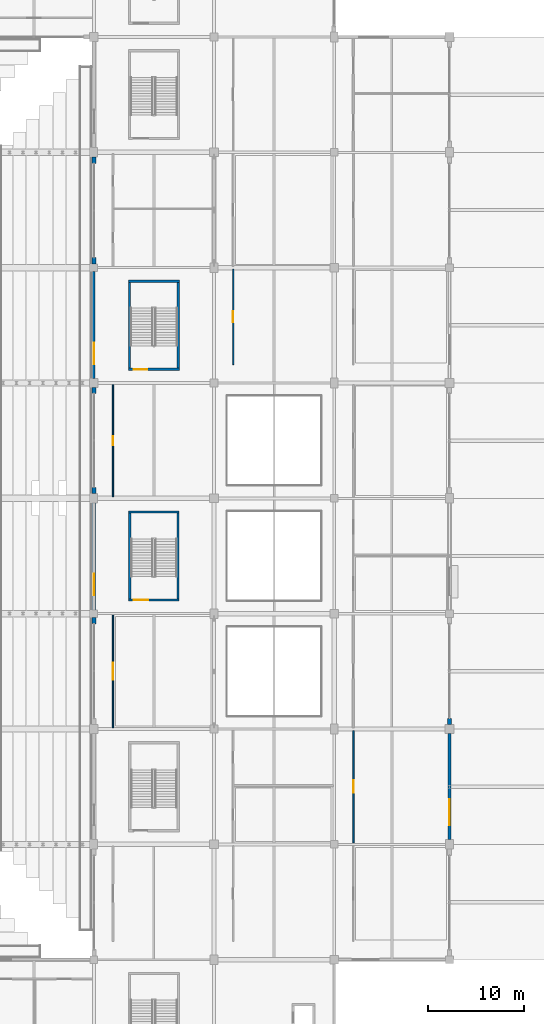
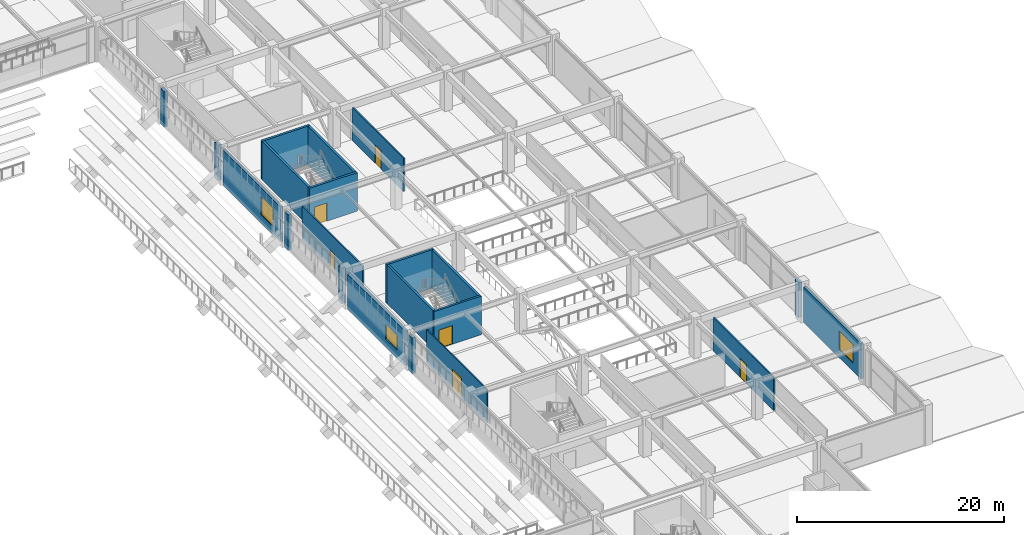
# One storey, part 85 of 134: 21 walls, 6 doors, 3 windows, 9 openings.
"""IFC4 building model written with IfcOpenShell, lengths in metres."""

from ifc_helpers import new_model, si_unit, direction, frame, frame_2d, origin, place, context, subcontext, project, spatial, rectangle, extrude, material, layer, layer_set, type_object, element, fill, save


model = new_model("IFC4")

# Units and contexts
model_context = context("Model", 3, precision=1e-05, world=origin(), true_north=direction((0.0, 1.0)))
body_context = subcontext(model_context, "Body", "Model", "MODEL_VIEW")
ifc_project = project(units=[si_unit("LENGTHUNIT", "METRE"), si_unit("AREAUNIT", "SQUARE_METRE"), si_unit("VOLUMEUNIT", "CUBIC_METRE"), si_unit("PLANEANGLEUNIT", "RADIAN"), si_unit("MASSUNIT", "GRAM", prefix="KILO")], contexts=[model_context])

# Site, building, storey
site_placement = place(None, origin())
site = spatial("IfcSite", under=ifc_project, at=site_placement, CompositionType="ELEMENT")
building_placement = place(site_placement, origin())
building = spatial("IfcBuilding", under=site, at=building_placement, Name="Kazenohara Klinker Stadium", CompositionType="ELEMENT")
storey_placement = place(building_placement, frame((0.0, 0.0, 5.39990234375)))
storey = spatial("IfcBuildingStorey", under=building, at=storey_placement, Name="L01", CompositionType="ELEMENT", Elevation=5.39990234375)

# Wall, opening, door
ifc_material_1 = material(Name="Concrete C40/50", Category="concrete")
ifc_layer_1 = layer(ifc_material_1, 0.22998046875)
ifc_layer_set_1 = layer_set([ifc_layer_1], Name="Concrete C40/50")
wall_type_1 = type_object("IfcWallType", Name="WAL-CORE-230", PredefinedType="SHEAR", material=ifc_layer_set_1)
wall_1_placement = place(storey_placement, frame((178.6201171875, 73.43505859375, 0.0), z_axis=(0.0, 0.0, 1.0), x_axis=(1.0, 0.0, 0.0)))
wall_1 = element("IfcWall", 1, at=wall_1_placement, inside=storey, type_object=wall_type_1, Name="Stairwell shear wall ST22 L01 South", PredefinedType="SHEAR", context=body_context, shape_type="SweptSolid", body=[
    extrude(rectangle(XDim=5.259765625, YDim=0.22998046875, at=frame_2d((2.6298828125, 0.0))), origin(), (0.0, 0.0, 1.0), 4.550048828125),
])
opening_1_placement = place(wall_1_placement, frame((0.550048828125, 0.0, 0.0)))
opening_1 = element("IfcOpeningElement", 2, at=opening_1_placement, cuts=wall_1, Name="Opening SD02", PredefinedType="OPENING", context=body_context, shape_type="SweptSolid", body=[
    extrude(rectangle(XDim=1.5, YDim=2.199951171875, at=frame_2d((0.75, 1.10009765625))), frame((0.0, 0.125, 0.0), z_axis=(0.0, -1.0, 0.0), x_axis=(1.0, 0.0, 0.0)), (0.0, 0.0, 1.0), 0.25),
])
ifc_material_2 = material(Name="Flush painted steel fire door leaf", Category="steel")
door_type_1 = type_object("IfcDoorType", Name="DR-STR-1500x2200", OperationType="NOTDEFINED", PredefinedType="DOOR", material=ifc_material_2)
door_1_placement = place(opening_1_placement, origin())
door_1 = element("IfcDoor", 3, at=door_1_placement, inside=storey, type_object=door_type_1, Name="Escape stairwell fire door ST22-L01", OperationType="SINGLE_SWING_RIGHT", OverallHeight=2.199951171875, OverallWidth=1.5, PredefinedType="DOOR", context=body_context, shape_type="SweptSolid", body=[
    extrude(rectangle(XDim=1.5, YDim=2.199951171875, at=frame_2d((0.75, 1.10009765625))), frame((0.0, 0.02490234375, 0.0), z_axis=(0.0, -1.0, 0.0), x_axis=(1.0, 0.0, 0.0)), (0.0, 0.0, 1.0), 0.050048828125),
])
fill(opening_1, door_1)

# Walls
wall_2_placement = place(storey_placement, frame((178.6201171875, 82.56494140625, 0.0), z_axis=(0.0, 0.0, 1.0), x_axis=(1.0, 0.0, 0.0)))
element("IfcWall", 4, at=wall_2_placement, inside=storey, type_object=wall_type_1, Name="Stairwell shear wall ST22 L01 North", PredefinedType="SHEAR", context=body_context, shape_type="SweptSolid", body=[
    extrude(rectangle(XDim=5.259765625, YDim=0.22998046875, at=frame_2d((2.6298828125, 0.0))), origin(), (0.0, 0.0, 1.0), 4.550048828125),
])
for number, where, z_axis, x_axis, name in (
    (5, (178.735107421875, 73.550048828125, 0.0), (0.0, 0.0, 1.0), (0.0, 1.0, 0.0), "Stairwell shear wall ST22 L01 West"),
    (6, (183.764892578125, 73.550048828125, 0.0), (0.0, 0.0, 1.0), (0.0, 1.0, 0.0), "Stairwell shear wall ST22 L01 East"),
):
    element("IfcWall", number, at=place(storey_placement, frame(where, z_axis=z_axis, x_axis=x_axis)), inside=storey, type_object=wall_type_1, Name=name, PredefinedType="SHEAR", context=body_context, shape_type="SweptSolid", body=[
        extrude(rectangle(XDim=8.89990234375, YDim=0.22998046875, at=frame_2d((4.449951171875, 0.0))), origin(), (0.0, 0.0, 1.0), 4.550048828125),
    ])

# Wall, opening, door
ifc_layer_2 = layer(ifc_material_1, 0.25)
ifc_layer_set_2 = layer_set([ifc_layer_2], Name="Concrete C40/50")
wall_type_2 = type_object("IfcWallType", Name="WAL-CORE-250", PredefinedType="SHEAR", material=ifc_layer_set_2)
wall_3_placement = place(storey_placement, frame((178.580078125, 97.425048828125, 0.0), z_axis=(0.0, 0.0, 1.0), x_axis=(1.0, 0.0, 0.0)))
wall_3 = element("IfcWall", 7, at=wall_3_placement, inside=storey, type_object=wall_type_2, Name="Stairwell shear wall ST23 L01 South", PredefinedType="SHEAR", context=body_context, shape_type="SweptSolid", body=[
    extrude(rectangle(XDim=5.33984375, YDim=0.25, at=frame_2d((2.669921875, 0.0))), origin(), (0.0, 0.0, 1.0), 4.550048828125),
])
opening_2_placement = place(wall_3_placement, frame((0.550048828125, 0.0, 0.0)))
opening_2 = element("IfcOpeningElement", 8, at=opening_2_placement, cuts=wall_3, Name="Opening SD01", PredefinedType="OPENING", context=body_context, shape_type="SweptSolid", body=[
    extrude(rectangle(XDim=1.39990234375, YDim=2.14990234375, at=frame_2d((0.699951171875, 1.074951171875))), frame((0.0, 0.135009765625, 0.0), z_axis=(0.0, -1.0, 0.0), x_axis=(1.0, 0.0, 0.0)), (0.0, 0.0, 1.0), 0.27001953125),
])
door_type_2 = type_object("IfcDoorType", Name="DR-STR-1400x2150", OperationType="NOTDEFINED", PredefinedType="DOOR", material=ifc_material_2)
door_2_placement = place(opening_2_placement, origin())
door_2 = element("IfcDoor", 9, at=door_2_placement, inside=storey, type_object=door_type_2, Name="Escape stairwell fire door ST23-L01", OperationType="SINGLE_SWING_RIGHT", OverallHeight=2.14990234375, OverallWidth=1.39990234375, PredefinedType="DOOR", context=body_context, shape_type="SweptSolid", body=[
    extrude(rectangle(XDim=1.39990234375, YDim=2.14990234375, at=frame_2d((0.699951171875, 1.074951171875))), frame((0.0, 0.02490234375, 0.0), z_axis=(0.0, -1.0, 0.0), x_axis=(1.0, 0.0, 0.0)), (0.0, 0.0, 1.0), 0.050048828125),
])
fill(opening_2, door_2)

# Walls
wall_4_placement = place(storey_placement, frame((178.580078125, 106.574951171875, 0.0), z_axis=(0.0, 0.0, 1.0), x_axis=(1.0, 0.0, 0.0)))
element("IfcWall", 10, at=wall_4_placement, inside=storey, type_object=wall_type_2, Name="Stairwell shear wall ST23 L01 North", PredefinedType="SHEAR", context=body_context, shape_type="SweptSolid", body=[
    extrude(rectangle(XDim=5.33984375, YDim=0.25, at=frame_2d((2.669921875, 0.0))), origin(), (0.0, 0.0, 1.0), 4.550048828125),
])
for number, where, z_axis, x_axis, name in (
    (11, (178.705078125, 97.550048828125, 0.0), (0.0, 0.0, 1.0), (0.0, 1.0, 0.0), "Stairwell shear wall ST23 L01 West"),
    (12, (183.794921875, 97.550048828125, 0.0), (0.0, 0.0, 1.0), (0.0, 1.0, 0.0), "Stairwell shear wall ST23 L01 East"),
):
    element("IfcWall", number, at=place(storey_placement, frame(where, z_axis=z_axis, x_axis=x_axis)), inside=storey, type_object=wall_type_2, Name=name, PredefinedType="SHEAR", context=body_context, shape_type="SweptSolid", body=[
        extrude(rectangle(XDim=8.89990234375, YDim=0.25, at=frame_2d((4.449951171875, 0.0))), origin(), (0.0, 0.0, 1.0), 4.550048828125),
    ])

# Wall, opening, window
ifc_material_3 = material(Name="Clinker brick masonry", Category="masonry")
ifc_layer_3 = layer(ifc_material_3, 0.280029296875)
ifc_layer_set_3 = layer_set([ifc_layer_3], Name="Clinker brick masonry")
wall_type_3 = type_object("IfcWallType", Name="WAL-EXT-CB280", PredefinedType="SOLIDWALL", material=ifc_layer_set_3)
wall_5_placement = place(storey_placement, frame((175.0, 96.4541015625, 0.0), z_axis=(0.0, 0.0, 1.0), x_axis=(0.0, 1.0, 0.0)))
wall_5 = element("IfcWall", 13, at=wall_5_placement, inside=storey, type_object=wall_type_3, Name="Clinker brick cavity wall EW06 L01 Y14-8", PredefinedType="SOLIDWALL", context=body_context, shape_type="SweptSolid", body=[
    extrude(rectangle(XDim=11.141845703125, YDim=0.280029296875, at=frame_2d((5.57080078125, 0.0))), origin(), (0.0, 0.0, 1.0), 4.150146484375),
])
opening_3_placement = place(wall_5_placement, frame((1.5, 0.0, 0.949951171875)))
opening_3 = element("IfcOpeningElement", 14, at=opening_3_placement, cuts=wall_5, Name="Opening W22", PredefinedType="OPENING", context=body_context, shape_type="SweptSolid", body=[
    extrude(rectangle(XDim=2.25, YDim=2.199951171875, at=frame_2d((1.125, 1.10009765625))), frame((0.0, 0.14990234375, 0.0), z_axis=(0.0, -1.0, 0.0), x_axis=(1.0, 0.0, 0.0)), (0.0, 0.0, 1.0), 0.300048828125),
])
ifc_material_4 = material(Name="Dark bronze aluminium frame and triple glazing", Category="aluminium")
window_type_1 = type_object("IfcWindowType", Name="WIN-AS-22", PartitioningType="SINGLE_PANEL", PredefinedType="WINDOW", material=ifc_material_4)
window_1_placement = place(opening_3_placement, origin())
window_1 = element("IfcWindow", 15, at=window_1_placement, inside=storey, type_object=window_type_1, Name="Horizontal-mullion ladder window W22 L01 Y14-8", OverallHeight=2.199951171875, OverallWidth=2.25, PartitioningType="SINGLE_PANEL", PredefinedType="WINDOW", context=body_context, shape_type="SweptSolid", body=[
    extrude(rectangle(XDim=2.25, YDim=2.199951171875, at=frame_2d((1.125, 1.10009765625))), frame((0.0, 0.030029296875, 0.0), z_axis=(0.0, -1.0, 0.0), x_axis=(1.0, 0.0, 0.0)), (0.0, 0.0, 1.0), 0.06005859375),
])
fill(opening_3, window_1)

wall_6_placement = place(storey_placement, frame((212.0, 48.50390625, 0.0), z_axis=(0.0, 0.0, 1.0), x_axis=(0.0, 1.0, 0.0)))
wall_6 = element("IfcWall", 16, at=wall_6_placement, inside=storey, type_object=wall_type_3, Name="Clinker brick cavity wall EW06 L01 Y17-4", PredefinedType="SOLIDWALL", context=body_context, shape_type="SweptSolid", body=[
    extrude(rectangle(XDim=11.0419921875, YDim=0.280029296875, at=frame_2d((5.52099609375, 0.0))), origin(), (0.0, 0.0, 1.0), 4.2001953125),
])
opening_4_placement = place(wall_6_placement, frame((1.5, 0.0, 0.949951171875)))
opening_4 = element("IfcOpeningElement", 17, at=opening_4_placement, cuts=wall_6, Name="Opening W28", PredefinedType="OPENING", context=body_context, shape_type="SweptSolid", body=[
    extrude(rectangle(XDim=2.699951171875, YDim=2.199951171875, at=frame_2d((1.35009765625, 1.10009765625))), frame((0.0, 0.14990234375, 0.0), z_axis=(0.0, -1.0, 0.0), x_axis=(1.0, 0.0, 0.0)), (0.0, 0.0, 1.0), 0.300048828125),
])
window_type_2 = type_object("IfcWindowType", Name="WIN-AS-28", PartitioningType="SINGLE_PANEL", PredefinedType="WINDOW", material=ifc_material_4)
window_2_placement = place(opening_4_placement, origin())
window_2 = element("IfcWindow", 18, at=window_2_placement, inside=storey, type_object=window_type_2, Name="Horizontal-mullion ladder window W28 L01 Y17-4", OverallHeight=2.199951171875, OverallWidth=2.699951171875, PartitioningType="SINGLE_PANEL", PredefinedType="WINDOW", context=body_context, shape_type="SweptSolid", body=[
    extrude(rectangle(XDim=2.699951171875, YDim=2.199951171875, at=frame_2d((1.35009765625, 1.10009765625))), frame((0.0, 0.030029296875, 0.0), z_axis=(0.0, -1.0, 0.0), x_axis=(1.0, 0.0, 0.0)), (0.0, 0.0, 1.0), 0.06005859375),
])
fill(opening_4, window_2)

ifc_layer_4 = layer(ifc_material_3, 0.340087890625)
ifc_layer_set_4 = layer_set([ifc_layer_4], Name="Clinker brick masonry")
wall_type_4 = type_object("IfcWallType", Name="WAL-EXT-CB340", PredefinedType="SOLIDWALL", material=ifc_layer_set_4)
wall_7_placement = place(storey_placement, frame((175.0, 72.404052734375, 0.0), z_axis=(0.0, 0.0, 1.0), x_axis=(0.0, 1.0, 0.0)))
wall_7 = element("IfcWall", 19, at=wall_7_placement, inside=storey, type_object=wall_type_4, Name="Clinker brick cavity wall EW04 L01 Y14-6", PredefinedType="SOLIDWALL", context=body_context, shape_type="SweptSolid", body=[
    extrude(rectangle(XDim=11.092041015625, YDim=0.340087890625, at=frame_2d((5.5458984375, 0.0))), origin(), (0.0, 0.0, 1.0), 4.150146484375),
])
opening_5_placement = place(wall_7_placement, frame((1.5, 0.0, 0.949951171875)))
opening_5 = element("IfcOpeningElement", 20, at=opening_5_placement, cuts=wall_7, Name="Opening W21", PredefinedType="OPENING", context=body_context, shape_type="SweptSolid", body=[
    extrude(rectangle(XDim=2.25, YDim=1.800048828125, at=frame_2d((1.125, 0.89990234375))), frame((0.0, 0.18017578125, 0.0), z_axis=(0.0, -1.0, 0.0), x_axis=(1.0, 0.0, 0.0)), (0.0, 0.0, 1.0), 0.360107421875),
])
window_type_3 = type_object("IfcWindowType", Name="WIN-AS-21", PartitioningType="SINGLE_PANEL", PredefinedType="WINDOW", material=ifc_material_4)
window_3_placement = place(opening_5_placement, origin())
window_3 = element("IfcWindow", 21, at=window_3_placement, inside=storey, type_object=window_type_3, Name="Horizontal-mullion ladder window W21 L01 Y14-6", OverallHeight=1.800048828125, OverallWidth=2.25, PartitioningType="SINGLE_PANEL", PredefinedType="WINDOW", context=body_context, shape_type="SweptSolid", body=[
    extrude(rectangle(XDim=2.25, YDim=1.800048828125, at=frame_2d((1.125, 0.89990234375))), frame((0.0, 0.030029296875, 0.0), z_axis=(0.0, -1.0, 0.0), x_axis=(1.0, 0.0, 0.0)), (0.0, 0.0, 1.0), 0.06005859375),
])
fill(opening_5, window_3)

# Walls
ifc_layer_5 = layer(ifc_material_3, 0.409912109375)
ifc_layer_set_5 = layer_set([ifc_layer_5], Name="Clinker brick masonry")
wall_type_5 = type_object("IfcWallType", Name="WAL-EXT-CB410", PredefinedType="SOLIDWALL", material=ifc_layer_set_5)
wall_8_placement = place(storey_placement, frame((175.0, 70.946044921875, 0.0), z_axis=(0.0, 0.0, 1.0), x_axis=(0.0, 1.0, 0.0)))
element("IfcWall", 22, at=wall_8_placement, inside=storey, type_object=wall_type_5, Name="Clinker brick curtain-wall jamb pier L01 Y14-5 B", PredefinedType="SOLIDWALL", context=body_context, shape_type="SweptSolid", body=[
    extrude(rectangle(XDim=0.64990234375, YDim=0.409912109375, at=frame_2d((0.324951171875, 0.0))), origin(), (0.0, 0.0, 1.0), 4.2001953125),
])
wall_9_placement = place(storey_placement, frame((175.0, 84.50390625, 0.0), z_axis=(0.0, 0.0, 1.0), x_axis=(0.0, 1.0, 0.0)))
element("IfcWall", 23, at=wall_9_placement, inside=storey, type_object=wall_type_5, Name="Clinker brick curtain-wall jamb pier L01 Y14-7 A", PredefinedType="SOLIDWALL", context=body_context, shape_type="SweptSolid", body=[
    extrude(rectangle(XDim=0.650146484375, YDim=0.409912109375, at=frame_2d((0.3251953125, 0.0))), origin(), (0.0, 0.0, 1.0), 4.2001953125),
])
for number, where, z_axis, x_axis, name in (
    (24, (175.0, 94.89599609375, 0.0), (0.0, 0.0, 1.0), (0.0, 1.0, 0.0), "Clinker brick curtain-wall jamb pier L01 Y14-7 B"),
    (25, (175.0, 108.404052734375, 0.0), (0.0, 0.0, 1.0), (0.0, 1.0, 0.0), "Clinker brick curtain-wall jamb pier L01 Y14-9 A"),
):
    element("IfcWall", number, at=place(storey_placement, frame(where, z_axis=z_axis, x_axis=x_axis)), inside=storey, type_object=wall_type_5, Name=name, PredefinedType="SOLIDWALL", context=body_context, shape_type="SweptSolid", body=[
        extrude(rectangle(XDim=0.64990234375, YDim=0.409912109375, at=frame_2d((0.324951171875, 0.0))), origin(), (0.0, 0.0, 1.0), 4.2001953125),
    ])
wall_10_placement = place(storey_placement, frame((175.0, 118.845947265625, 0.0), z_axis=(0.0, 0.0, 1.0), x_axis=(0.0, 1.0, 0.0)))
element("IfcWall", 26, at=wall_10_placement, inside=storey, type_object=wall_type_5, Name="Clinker brick curtain-wall jamb pier L01 Y14-9 B", PredefinedType="SOLIDWALL", context=body_context, shape_type="SweptSolid", body=[
    extrude(rectangle(XDim=0.650146484375, YDim=0.409912109375, at=frame_2d((0.3251953125, 0.0))), origin(), (0.0, 0.0, 1.0), 4.2001953125),
])
wall_11_placement = place(storey_placement, frame((212.0, 60.4541015625, 0.0), z_axis=(0.0, 0.0, 1.0), x_axis=(0.0, 1.0, 0.0)))
element("IfcWall", 27, at=wall_11_placement, inside=storey, type_object=wall_type_5, Name="Clinker brick curtain-wall jamb pier L01 Y17-5 A", PredefinedType="SOLIDWALL", context=body_context, shape_type="SweptSolid", body=[
    extrude(rectangle(XDim=0.64990234375, YDim=0.409912109375, at=frame_2d((0.324951171875, 0.0))), origin(), (0.0, 0.0, 1.0), 4.150146484375),
])

# Wall, opening, door
ifc_material_5 = material(Name="Fire-rated gypsum board on acoustic studs", Category="gypsum")
ifc_layer_6 = layer(ifc_material_5, 0.1201171875)
ifc_layer_set_6 = layer_set([ifc_layer_6], Name="Fire-rated gypsum board on acoustic studs")
wall_type_6 = type_object("IfcWallType", Name="WAL-INT-P120", PredefinedType="PARTITIONING", material=ifc_layer_set_6)
wall_12_placement = place(storey_placement, frame((176.989990234375, 60.159912109375, 0.0), z_axis=(0.0, 0.0, 1.0), x_axis=(0.0, 1.0, 0.0)))
wall_12 = element("IfcWall", 28, at=wall_12_placement, inside=storey, type_object=wall_type_6, Name="Interior partition wall PT02 SPC-L01-14-05-1-1", PredefinedType="PARTITIONING", context=body_context, shape_type="SweptSolid", body=[
    extrude(rectangle(XDim=11.68017578125, YDim=0.1201171875, at=frame_2d((5.840087890625, 0.0))), origin(), (0.0, 0.0, 1.0), 3.920166015625),
])
opening_6_placement = place(wall_12_placement, frame((6.719970703125, 0.0, 0.0), z_axis=(0.0, 0.0, 1.0), x_axis=(-1.0, 0.0, 0.0)))
opening_6 = element("IfcOpeningElement", 29, at=opening_6_placement, cuts=wall_12, Name="Opening ID26", PredefinedType="OPENING", context=body_context, shape_type="SweptSolid", body=[
    extrude(rectangle(XDim=1.760009765625, YDim=2.300048828125, at=frame_2d((0.8798828125, 1.14990234375))), frame((0.0, 0.070068359375, 0.0), z_axis=(0.0, -1.0, 0.0), x_axis=(1.0, 0.0, 0.0)), (0.0, 0.0, 1.0), 0.14013671875),
])
ifc_material_6 = material(Name="Painted steel plant fire door", Category="steel")
door_type_3 = type_object("IfcDoorType", Name="DR-INT-26", OperationType="NOTDEFINED", PredefinedType="DOOR", material=ifc_material_6)
door_3_placement = place(opening_6_placement, origin())
door_3 = element("IfcDoor", 30, at=door_3_placement, inside=storey, type_object=door_type_3, Name="Interior door ID26 Community Martial Arts Fitness Studio L01-1405A", OperationType="SINGLE_SWING_LEFT", OverallHeight=2.300048828125, OverallWidth=1.760009765625, PredefinedType="DOOR", context=body_context, shape_type="SweptSolid", body=[
    extrude(rectangle(XDim=1.760009765625, YDim=2.300048828125, at=frame_2d((0.8798828125, 1.14990234375))), frame((0.0, 0.02490234375, 0.0), z_axis=(0.0, -1.0, 0.0), x_axis=(1.0, 0.0, 0.0)), (0.0, 0.0, 1.0), 0.050048828125),
])
fill(opening_6, door_3)

ifc_layer_7 = layer(ifc_material_5, 0.139892578125)
ifc_layer_set_7 = layer_set([ifc_layer_7], Name="Fire-rated gypsum board on acoustic studs")
wall_type_7 = type_object("IfcWallType", Name="WAL-INT-P140", PredefinedType="PARTITIONING", material=ifc_layer_set_7)
wall_13_placement = place(storey_placement, frame((189.489990234375, 97.919921875, 0.0), z_axis=(0.0, 0.0, 1.0), x_axis=(0.0, 1.0, 0.0)))
wall_13 = element("IfcWall", 31, at=wall_13_placement, inside=storey, type_object=wall_type_7, Name="Interior partition wall PT03 SPC-L01-15-08-1-1", PredefinedType="PARTITIONING", context=body_context, shape_type="SweptSolid", body=[
    extrude(rectangle(XDim=9.920166015625, YDim=0.139892578125, at=frame_2d((4.9599609375, 0.0))), origin(), (0.0, 0.0, 1.0), 3.920166015625),
])
opening_7_placement = place(wall_13_placement, frame((5.52001953125, 0.0, 0.0), z_axis=(0.0, 0.0, 1.0), x_axis=(-1.0, 0.0, 0.0)))
opening_7 = element("IfcOpeningElement", 32, at=opening_7_placement, cuts=wall_13, Name="Opening ID09", PredefinedType="OPENING", context=body_context, shape_type="SweptSolid", body=[
    extrude(rectangle(XDim=1.1201171875, YDim=2.179931640625, at=frame_2d((0.56005859375, 1.08984375))), frame((0.0, 0.080078125, 0.0), z_axis=(0.0, -1.0, 0.0), x_axis=(1.0, 0.0, 0.0)), (0.0, 0.0, 1.0), 0.159912109375),
])
ifc_material_7 = material(Name="Solid-core Hokkaido oak fire door", Category="wood")
door_type_4 = type_object("IfcDoorType", Name="DR-INT-09", OperationType="NOTDEFINED", PredefinedType="DOOR", material=ifc_material_7)
door_4_placement = place(opening_7_placement, origin())
door_4 = element("IfcDoor", 33, at=door_4_placement, inside=storey, type_object=door_type_4, Name="Interior door ID09 Youth Sports Coaching Classroom L01-1508A", OperationType="SINGLE_SWING_RIGHT", OverallHeight=2.179931640625, OverallWidth=1.1201171875, PredefinedType="DOOR", context=body_context, shape_type="SweptSolid", body=[
    extrude(rectangle(XDim=1.1201171875, YDim=2.179931640625, at=frame_2d((0.56005859375, 1.08984375))), frame((0.0, 0.02490234375, 0.0), z_axis=(0.0, -1.0, 0.0), x_axis=(1.0, 0.0, 0.0)), (0.0, 0.0, 1.0), 0.050048828125),
])
fill(opening_7, door_4)

ifc_layer_8 = layer(ifc_material_5, 0.14990234375)
ifc_layer_set_8 = layer_set([ifc_layer_8], Name="Fire-rated gypsum board on acoustic studs")
wall_type_8 = type_object("IfcWallType", Name="WAL-INT-P150", PredefinedType="PARTITIONING", material=ifc_layer_set_8)
wall_14_placement = place(storey_placement, frame((176.989990234375, 84.159912109375, 0.0), z_axis=(0.0, 0.0, 1.0), x_axis=(0.0, 1.0, 0.0)))
wall_14 = element("IfcWall", 34, at=wall_14_placement, inside=storey, type_object=wall_type_8, Name="Interior partition wall PT04 SPC-L01-14-07-1-1", PredefinedType="PARTITIONING", context=body_context, shape_type="SweptSolid", body=[
    extrude(rectangle(XDim=11.68017578125, YDim=0.14990234375, at=frame_2d((5.840087890625, 0.0))), origin(), (0.0, 0.0, 1.0), 3.920166015625),
])
opening_8_placement = place(wall_14_placement, frame((6.289794921875, 0.0, 0.0), z_axis=(0.0, 0.0, 1.0), x_axis=(-1.0, 0.0, 0.0)))
opening_8 = element("IfcOpeningElement", 35, at=opening_8_placement, cuts=wall_14, Name="Opening ID01", PredefinedType="OPENING", context=body_context, shape_type="SweptSolid", body=[
    extrude(rectangle(XDim=0.89990234375, YDim=2.06005859375, at=frame_2d((0.449951171875, 1.030029296875))), frame((0.0, 0.0849609375, 0.0), z_axis=(0.0, -1.0, 0.0), x_axis=(1.0, 0.0, 0.0)), (0.0, 0.0, 1.0), 0.169921875),
])
door_type_5 = type_object("IfcDoorType", Name="DR-INT-01", OperationType="NOTDEFINED", PredefinedType="DOOR", material=ifc_material_7)
door_5_placement = place(opening_8_placement, origin())
door_5 = element("IfcDoor", 36, at=door_5_placement, inside=storey, type_object=door_type_5, Name="Interior door ID01 Family Sensory Hospitality Lounge L01-1407A", OperationType="SINGLE_SWING_RIGHT", OverallHeight=2.06005859375, OverallWidth=0.89990234375, PredefinedType="DOOR", context=body_context, shape_type="SweptSolid", body=[
    extrude(rectangle(XDim=0.89990234375, YDim=2.06005859375, at=frame_2d((0.449951171875, 1.030029296875))), frame((0.0, 0.02490234375, 0.0), z_axis=(0.0, -1.0, 0.0), x_axis=(1.0, 0.0, 0.0)), (0.0, 0.0, 1.0), 0.050048828125),
])
fill(opening_8, door_5)

wall_15_placement = place(storey_placement, frame((201.989990234375, 48.159912109375, 0.0), z_axis=(0.0, 0.0, 1.0), x_axis=(0.0, 1.0, 0.0)))
wall_15 = element("IfcWall", 37, at=wall_15_placement, inside=storey, type_object=wall_type_8, Name="Interior partition wall PT04 SPC-L01-16-04-1-1", PredefinedType="PARTITIONING", context=body_context, shape_type="SweptSolid", body=[
    extrude(rectangle(XDim=11.68017578125, YDim=0.14990234375, at=frame_2d((5.840087890625, 0.0))), origin(), (0.0, 0.0, 1.0), 3.920166015625),
])
opening_9_placement = place(wall_15_placement, frame((6.489990234375, 0.0, 0.0), z_axis=(0.0, 0.0, 1.0), x_axis=(-1.0, 0.0, 0.0)))
opening_9 = element("IfcOpeningElement", 38, at=opening_9_placement, cuts=wall_15, Name="Opening ID15", PredefinedType="OPENING", context=body_context, shape_type="SweptSolid", body=[
    extrude(rectangle(XDim=1.300048828125, YDim=2.239990234375, at=frame_2d((0.64990234375, 1.1201171875))), frame((0.0, 0.0849609375, 0.0), z_axis=(0.0, -1.0, 0.0), x_axis=(1.0, 0.0, 0.0)), (0.0, 0.0, 1.0), 0.169921875),
])
door_type_6 = type_object("IfcDoorType", Name="DR-INT-15", OperationType="NOTDEFINED", PredefinedType="DOOR", material=ifc_material_7)
door_6_placement = place(opening_9_placement, origin())
door_6 = element("IfcDoor", 39, at=door_6_placement, inside=storey, type_object=door_type_6, Name="Interior door ID15 Youth Sports Coaching Classroom L01-1604A", OperationType="SINGLE_SWING_RIGHT", OverallHeight=2.239990234375, OverallWidth=1.300048828125, PredefinedType="DOOR", context=body_context, shape_type="SweptSolid", body=[
    extrude(rectangle(XDim=1.300048828125, YDim=2.239990234375, at=frame_2d((0.64990234375, 1.1201171875))), frame((0.0, 0.02490234375, 0.0), z_axis=(0.0, -1.0, 0.0), x_axis=(1.0, 0.0, 0.0)), (0.0, 0.0, 1.0), 0.050048828125),
])
fill(opening_9, door_6)

save(model, "model.ifc")
